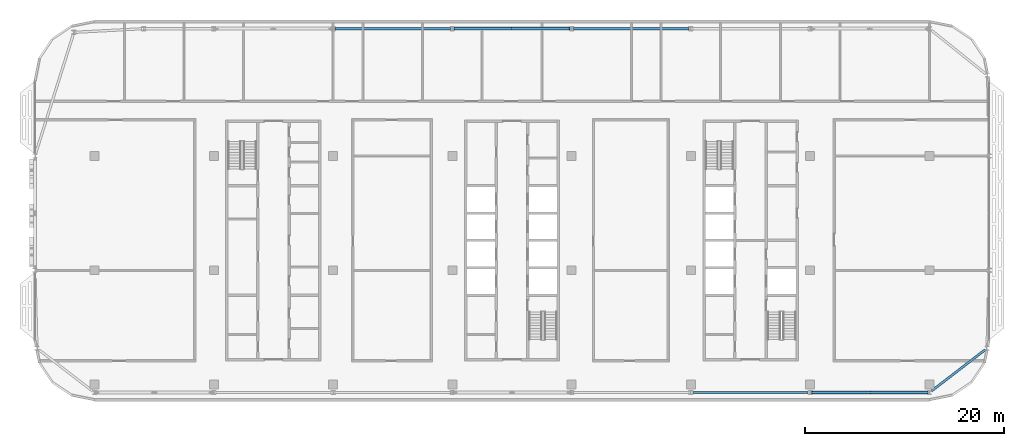
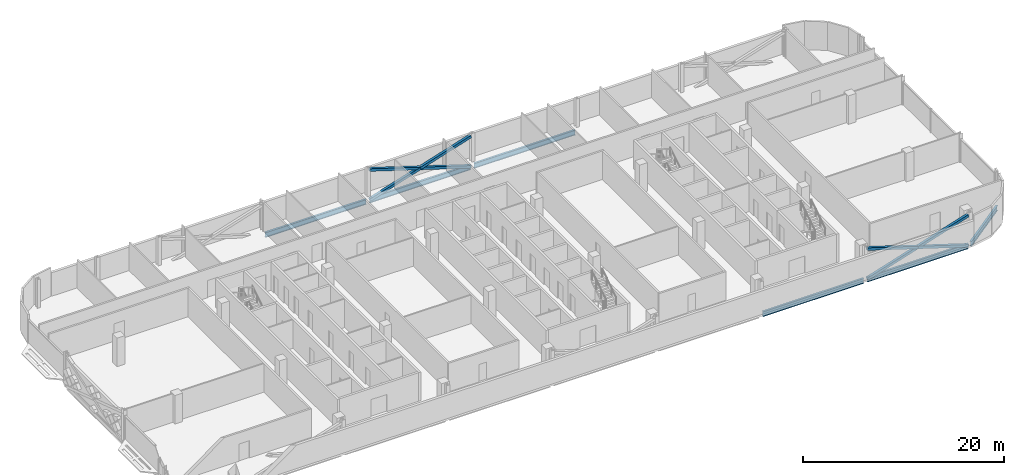
# One storey, part 9 of 29: 6 beams, 6 members.
"""IFC4 building model written with IfcOpenShell, lengths in metres."""

from ifc_helpers import new_model, si_unit, direction, frame, origin, origin_2d, place, context, subcontext, project, spatial, hollow_rectangle, i_section, extrude, material, material_profile, profile_set, type_object, element, save


model = new_model("IFC4")

# Units and contexts
model_context = context("Model", 3, precision=1e-05, world=origin(), true_north=direction((0.0, 1.0)))
body_context = subcontext(model_context, "Body", "Model", "MODEL_VIEW")
ifc_project = project(units=[si_unit("LENGTHUNIT", "METRE"), si_unit("AREAUNIT", "SQUARE_METRE"), si_unit("VOLUMEUNIT", "CUBIC_METRE"), si_unit("PLANEANGLEUNIT", "RADIAN"), si_unit("MASSUNIT", "GRAM", prefix="KILO")], contexts=[model_context])

# Site, building, storey
site_placement = place(None, origin())
site = spatial("IfcSite", under=ifc_project, at=site_placement, CompositionType="ELEMENT")
building_placement = place(site_placement, origin())
building = spatial("IfcBuilding", under=site, at=building_placement, Name="Mahtab Terrace Research Tower", CompositionType="ELEMENT")
storey_placement = place(building_placement, frame((0.0, 0.0, 274.699951171875)))
storey = spatial("IfcBuildingStorey", under=building, at=storey_placement, Name="L67", CompositionType="ELEMENT", Elevation=274.699951171875)

# Members
ifc_material_1 = material(Name="Steel ASTM A500 Gr C", Category="steel")
ifc_material_profile_1 = material_profile(ifc_material_1, hollow_rectangle(XDim=0.3046875, YDim=0.3046875, WallThickness=0.015869140625, at=origin_2d()), Name="HSS12X12X5/8")
ifc_profile_set_1 = profile_set([ifc_material_profile_1], Name="Steel ASTM A500 Gr C")
member_type = type_object("IfcMemberType", Name="HSS 12x12x5/8 brace XB121258", PredefinedType="BRACE", material=ifc_profile_set_1)
member_1_placement = place(storey_placement, frame((5.80322265625, 24.306884765625, -0.5810546875), z_axis=(-0.953344149173, 0.0, 0.301885629399), x_axis=(0.0, -1.0, 0.0)))
element("IfcMember", 1, at=member_1_placement, inside=storey, type_object=member_type, Name="Exoskeleton brace L67 05 a", PredefinedType="BRACE", context=body_context, shape_type="SweptSolid", body=[
    extrude(hollow_rectangle(XDim=0.3046875, YDim=0.3046875, WallThickness=0.015869140625, at=origin_2d()), origin(), (0.0, 0.0, 1.0), 12.174560546875),
])
for number, where, z_axis, x_axis, name in (
    (2, (-5.80322265625, 24.306884765625, -0.5810546875), (0.953344149173, 0.0, 0.301885629399), (0.0, 1.0, 0.0), "Exoskeleton brace L67 05 b1"),
    (3, (0.0, 24.306884765625, 1.256591796875), (0.953344149173, 0.0, 0.301885629399), (0.0, 1.0, 0.0), "Exoskeleton brace L67 05 b2"),
):
    element("IfcMember", number, at=place(storey_placement, frame(where, z_axis=z_axis, x_axis=x_axis)), inside=storey, type_object=member_type, Name=name, PredefinedType="BRACE", context=body_context, shape_type="SweptSolid", body=[
        extrude(hollow_rectangle(XDim=0.3046875, YDim=0.3046875, WallThickness=0.015869140625, at=origin_2d()), origin(), (0.0, 0.0, 1.0), 6.087158203125),
    ])
member_2_placement = place(storey_placement, frame((30.19677734375, -12.306884765625, -0.5810546875), z_axis=(0.953344149173, 0.0, 0.301885629399), x_axis=(0.0, 1.0, 0.0)))
element("IfcMember", 4, at=member_2_placement, inside=storey, type_object=member_type, Name="Exoskeleton brace L67 20 a", PredefinedType="BRACE", context=body_context, shape_type="SweptSolid", body=[
    extrude(hollow_rectangle(XDim=0.3046875, YDim=0.3046875, WallThickness=0.015869140625, at=origin_2d()), origin(), (0.0, 0.0, 1.0), 12.174560546875),
])
for number, where, z_axis, x_axis, name in (
    (5, (41.80322265625, -12.306884765625, -0.5810546875), (-0.953344149173, 0.0, 0.301885629399), (0.0, -1.0, 0.0), "Exoskeleton brace L67 20 b1"),
    (6, (36.0, -12.306884765625, 1.256591796875), (-0.953344149173, 0.0, 0.301885629399), (0.0, -1.0, 0.0), "Exoskeleton brace L67 20 b2"),
):
    element("IfcMember", number, at=place(storey_placement, frame(where, z_axis=z_axis, x_axis=x_axis)), inside=storey, type_object=member_type, Name=name, PredefinedType="BRACE", context=body_context, shape_type="SweptSolid", body=[
        extrude(hollow_rectangle(XDim=0.3046875, YDim=0.3046875, WallThickness=0.015869140625, at=origin_2d()), origin(), (0.0, 0.0, 1.0), 6.087158203125),
    ])

# Beams
ifc_material_2 = material(Name="Steel ASTM A992 Gr 50", Category="steel")
ifc_material_profile_2 = material_profile(ifc_material_2, i_section(OverallWidth=0.228271484375, OverallDepth=0.607177734375, WebThickness=0.01123046875, FlangeThickness=0.017333984375, at=origin_2d()), Name="W24X76")
ifc_profile_set_2 = profile_set([ifc_material_profile_2], Name="Steel ASTM A992 Gr 50")
beam_type = type_object("IfcBeamType", Name="W24x76 beam BS2476", PredefinedType="BEAM", material=ifc_profile_set_2)
for number, where, z_axis, x_axis, name in (
    (7, (17.80322265625, 24.306884765625, -0.6435546875), (-1.0, 0.0, 0.0), (0.0, -1.0, 0.0), "Spandrel beam L67 04"),
    (8, (5.80322265625, 24.306884765625, -0.6435546875), (-1.0, 0.0, 0.0), (0.0, -1.0, 0.0), "Spandrel beam L67 05"),
    (9, (-6.19677734375, 24.306884765625, -0.6435546875), (-1.0, 0.0, 0.0), (0.0, -1.0, 0.0), "Spandrel beam L67 06"),
    (10, (18.19677734375, -12.306884765625, -0.6435546875), (1.0, 0.0, 0.0), (0.0, 1.0, 0.0), "Spandrel beam L67 19"),
    (11, (30.19677734375, -12.306884765625, -0.6435546875), (1.0, 0.0, 0.0), (0.0, 1.0, 0.0), "Spandrel beam L67 20"),
):
    element("IfcBeam", number, at=place(storey_placement, frame(where, z_axis=z_axis, x_axis=x_axis)), inside=storey, type_object=beam_type, Name=name, PredefinedType="BEAM", context=body_context, shape_type="SweptSolid", body=[
        extrude(i_section(OverallWidth=0.228271484375, OverallDepth=0.607177734375, WebThickness=0.01123046875, FlangeThickness=0.017333984375, at=origin_2d()), origin(), (0.0, 0.0, 1.0), 11.6064453125),
    ])
beam_placement = place(storey_placement, frame((42.19677734375, -12.155517578125, -0.6435546875), z_axis=(0.792687883453, 0.60962768919, 0.0), x_axis=(-0.60962768919, 0.792687883453, 0.0)))
element("IfcBeam", 12, at=beam_placement, inside=storey, type_object=beam_type, Name="Spandrel beam L67 21", PredefinedType="BEAM", context=body_context, shape_type="SweptSolid", body=[
    extrude(i_section(OverallWidth=0.228271484375, OverallDepth=0.607177734375, WebThickness=0.01123046875, FlangeThickness=0.017333984375, at=origin_2d()), origin(), (0.0, 0.0, 1.0), 6.817626953125),
])

save(model, "model.ifc")
